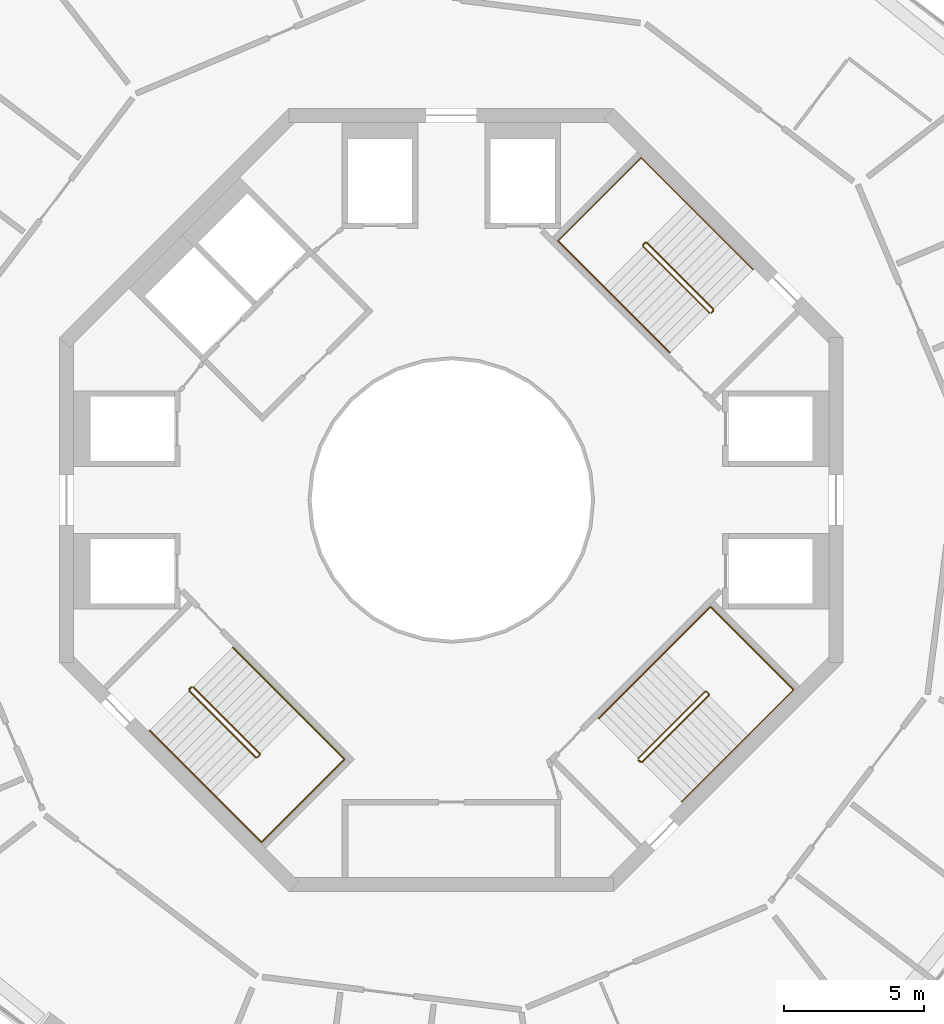
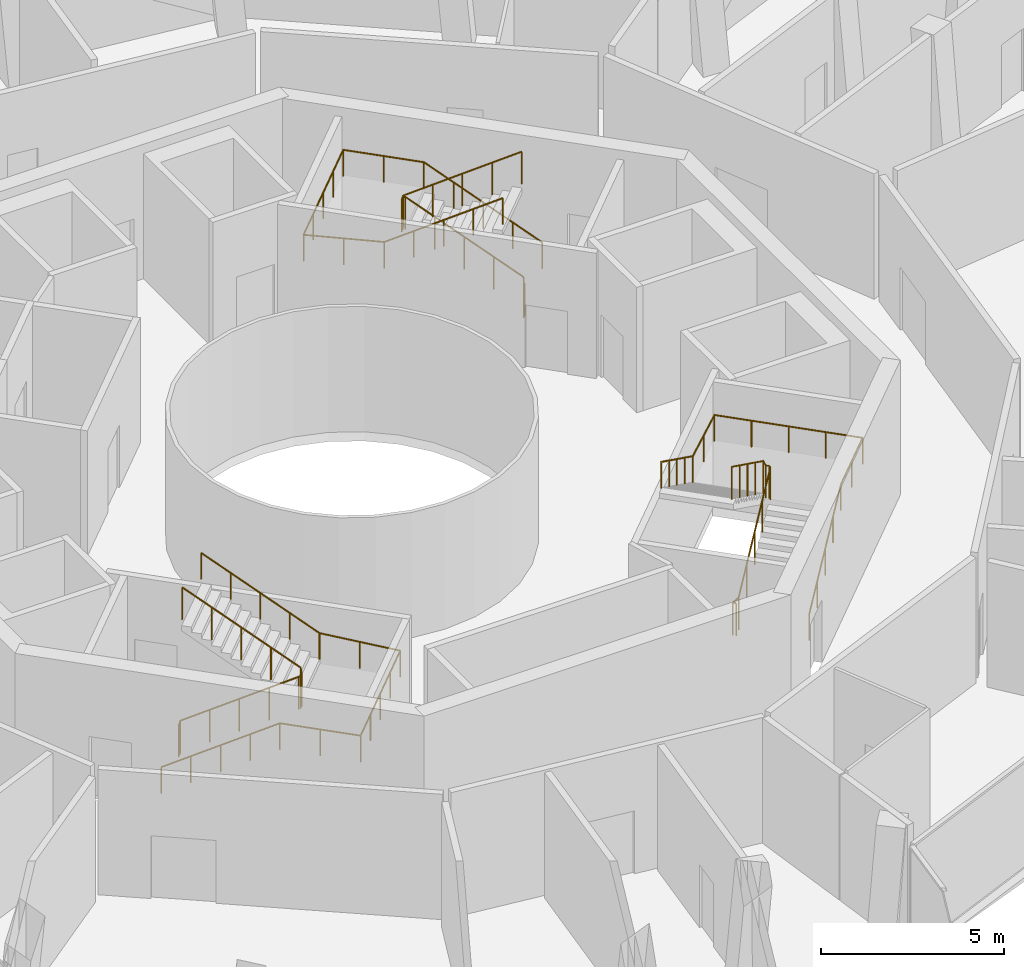
# One storey, part 18 of 18: 6 railings.
"""IFC4 building model written with IfcOpenShell, lengths in metres."""

from ifc_helpers import new_model, si_unit, direction, frame, origin, origin_2d, place, context, subcontext, project, spatial, circle, extrude, material, type_object, element, save


model = new_model("IFC4")

# Units and contexts
model_context = context("Model", 3, precision=1e-05, world=origin(), true_north=direction((0.0, 1.0)))
body_context = subcontext(model_context, "Body", "Model", "MODEL_VIEW")
ifc_project = project(units=[si_unit("LENGTHUNIT", "METRE"), si_unit("AREAUNIT", "SQUARE_METRE"), si_unit("VOLUMEUNIT", "CUBIC_METRE"), si_unit("PLANEANGLEUNIT", "RADIAN"), si_unit("MASSUNIT", "GRAM", prefix="KILO")], contexts=[model_context])

# Site, building, storey
site_placement = place(None, origin())
site = spatial("IfcSite", under=ifc_project, at=site_placement, CompositionType="ELEMENT")
building_placement = place(site_placement, origin())
building = spatial("IfcBuilding", under=site, at=building_placement, Name="Verdalira Terraces Hotel", CompositionType="ELEMENT")
storey_placement = place(building_placement, frame((0.0, 0.0, 248.0)))
storey = spatial("IfcBuildingStorey", under=building, at=storey_placement, Name="L61", CompositionType="ELEMENT", Elevation=248.0)

# Railings
ifc_material_1 = material(Name="Stainless steel", Category="steel")
railing_type_1 = type_object("IfcRailingType", Name="Stair guard 1100", PredefinedType="GUARDRAIL", material=ifc_material_1)
railing_1_placement = place(storey_placement, frame((9.369141, 6.75293, 0.0)))
element("IfcRailing", 1, at=railing_1_placement, inside=storey, type_object=railing_type_1, Name="L61 ST1 stair guard 1", PredefinedType="GUARDRAIL", context=body_context, shape_type="SweptSolid", body=[
    extrude(circle(Radius=0.023926, at=origin_2d()), frame((0.0, 0.0, 1.076172), z_axis=(-0.707106781, -0.707106781, 0.0), x_axis=(0.707106781, -0.707106781, 0.0)), (0.0, 0.0, 1.0), 0.100098),
    extrude(circle(Radius=0.023926, at=origin_2d()), frame((-0.070801, -0.070801, 1.076172), z_axis=(0.302014195, 0.602986962, 0.738372636), x_axis=(-0.894118129, 0.447831187, 0.0)), (0.0, 0.0, 1.0), 0.234375),
    extrude(circle(Radius=0.023926, at=origin_2d()), frame((0.0, 0.070557, 1.249023), z_axis=(-0.601482972, 0.601482972, 0.52577226), x_axis=(-0.707106781, -0.707106781, 0.0)), (0.0, 0.0, 1.0), 3.950195),
    extrude(circle(Radius=0.023926, at=origin_2d()), frame((-2.375977, 2.446533, 3.326172), z_axis=(-1.0, 0.0, 0.0), x_axis=(0.0, -1.0, 0.0)), (0.0, 0.0, 1.0), 0.070557),
    extrude(circle(Radius=0.023926, at=origin_2d()), frame((-2.446533, 2.446533, 3.326172), z_axis=(-0.707106781, -0.707106781, 0.0), x_axis=(0.707106781, -0.707106781, 0.0)), (0.0, 0.0, 1.0), 0.100098),
    extrude(circle(Radius=0.023926, at=origin_2d()), frame((-2.517334, 2.375732, 3.326172), z_axis=(0.0, -0.377462833, 0.926024735), x_axis=(1.0, 0.0, 0.0)), (0.0, 0.0, 1.0), 0.187012),
    extrude(circle(Radius=0.023926, at=origin_2d()), frame((-2.517334, 2.305176, 3.499023), z_axis=(0.601482972, -0.601482972, 0.52577226), x_axis=(0.707106781, 0.707106781, 0.0)), (0.0, 0.0, 1.0), 3.950195),
    extrude(circle(Radius=0.020996, at=origin_2d()), origin(), (0.0, 0.0, 1.0), 1.052002),
    extrude(circle(Radius=0.020996, at=origin_2d()), frame((-0.070801, -0.070801, 0.0)), (0.0, 0.0, 1.0), 1.052002),
    extrude(circle(Radius=0.020996, at=origin_2d()), frame((0.0, 0.070557, 0.173096)), (0.0, 0.0, 1.0), 1.052002),
    extrude(circle(Radius=0.020996, at=origin_2d()), frame((-0.593994, 0.664551, 0.692383)), (0.0, 0.0, 1.0), 1.052002),
    extrude(circle(Radius=0.020996, at=origin_2d()), frame((-1.187988, 1.258545, 1.211426)), (0.0, 0.0, 1.0), 1.052002),
    extrude(circle(Radius=0.020996, at=origin_2d()), frame((-1.781982, 1.852539, 1.730713)), (0.0, 0.0, 1.0), 1.052002),
    extrude(circle(Radius=0.020996, at=origin_2d()), frame((-2.375977, 2.446533, 2.25)), (0.0, 0.0, 1.0), 1.052002),
    extrude(circle(Radius=0.020996, at=origin_2d()), frame((-2.446533, 2.446533, 2.25)), (0.0, 0.0, 1.0), 1.052002),
    extrude(circle(Radius=0.020996, at=origin_2d()), frame((-2.517334, 2.375732, 2.25)), (0.0, 0.0, 1.0), 1.052002),
    extrude(circle(Radius=0.020996, at=origin_2d()), frame((-2.517334, 2.305176, 2.423096)), (0.0, 0.0, 1.0), 1.052002),
    extrude(circle(Radius=0.020996, at=origin_2d()), frame((-1.92334, 1.711182, 2.942383)), (0.0, 0.0, 1.0), 1.052002),
    extrude(circle(Radius=0.020996, at=origin_2d()), frame((-1.329346, 1.117188, 3.461426)), (0.0, 0.0, 1.0), 1.052002),
    extrude(circle(Radius=0.020996, at=origin_2d()), frame((-0.735352, 0.523193, 3.980713)), (0.0, 0.0, 1.0), 1.052002),
    extrude(circle(Radius=0.020996, at=origin_2d()), frame((-0.141357, -0.070801, 4.5)), (0.0, 0.0, 1.0), 1.052002),
])
railing_2_placement = place(storey_placement, frame((-9.369141, -6.75293, 0.0)))
element("IfcRailing", 2, at=railing_2_placement, inside=storey, type_object=railing_type_1, Name="L61 ST2 stair guard 1", PredefinedType="GUARDRAIL", context=body_context, shape_type="SweptSolid", body=[
    extrude(circle(Radius=0.023926, at=origin_2d()), frame((0.0, 0.0, 1.076172), z_axis=(0.707106781, 0.707106781, 0.0), x_axis=(-0.707106781, 0.707106781, 0.0)), (0.0, 0.0, 1.0), 0.100098),
    extrude(circle(Radius=0.023926, at=origin_2d()), frame((0.070801, 0.070801, 1.076172), z_axis=(-0.302014195, -0.602986962, 0.738372636), x_axis=(0.894118129, -0.447831187, 0.0)), (0.0, 0.0, 1.0), 0.234375),
    extrude(circle(Radius=0.023926, at=origin_2d()), frame((0.0, -0.070557, 1.249023), z_axis=(0.601482972, -0.601482972, 0.52577226), x_axis=(0.707106781, 0.707106781, 0.0)), (0.0, 0.0, 1.0), 3.950195),
    extrude(circle(Radius=0.023926, at=origin_2d()), frame((2.375977, -2.446533, 3.326172), z_axis=(1.0, 0.0, 0.0), x_axis=(0.0, 1.0, 0.0)), (0.0, 0.0, 1.0), 0.070557),
    extrude(circle(Radius=0.023926, at=origin_2d()), frame((2.446533, -2.446533, 3.326172), z_axis=(0.707106781, 0.707106781, 0.0), x_axis=(-0.707106781, 0.707106781, 0.0)), (0.0, 0.0, 1.0), 0.100098),
    extrude(circle(Radius=0.023926, at=origin_2d()), frame((2.517334, -2.375732, 3.326172), z_axis=(0.0, 0.377462833, 0.926024735), x_axis=(-1.0, 0.0, 0.0)), (0.0, 0.0, 1.0), 0.187012),
    extrude(circle(Radius=0.023926, at=origin_2d()), frame((2.517334, -2.305176, 3.499023), z_axis=(-0.601482972, 0.601482972, 0.52577226), x_axis=(-0.707106781, -0.707106781, 0.0)), (0.0, 0.0, 1.0), 3.950195),
    extrude(circle(Radius=0.020996, at=origin_2d()), origin(), (0.0, 0.0, 1.0), 1.052002),
    extrude(circle(Radius=0.020996, at=origin_2d()), frame((0.070801, 0.070801, 0.0)), (0.0, 0.0, 1.0), 1.052002),
    extrude(circle(Radius=0.020996, at=origin_2d()), frame((0.0, -0.070557, 0.173096)), (0.0, 0.0, 1.0), 1.052002),
    extrude(circle(Radius=0.020996, at=origin_2d()), frame((0.593994, -0.664551, 0.692383)), (0.0, 0.0, 1.0), 1.052002),
    extrude(circle(Radius=0.020996, at=origin_2d()), frame((1.187988, -1.258545, 1.211426)), (0.0, 0.0, 1.0), 1.052002),
    extrude(circle(Radius=0.020996, at=origin_2d()), frame((1.781982, -1.852539, 1.730713)), (0.0, 0.0, 1.0), 1.052002),
    extrude(circle(Radius=0.020996, at=origin_2d()), frame((2.375977, -2.446533, 2.25)), (0.0, 0.0, 1.0), 1.052002),
    extrude(circle(Radius=0.020996, at=origin_2d()), frame((2.446533, -2.446533, 2.25)), (0.0, 0.0, 1.0), 1.052002),
    extrude(circle(Radius=0.020996, at=origin_2d()), frame((2.517334, -2.375732, 2.25)), (0.0, 0.0, 1.0), 1.052002),
    extrude(circle(Radius=0.020996, at=origin_2d()), frame((2.517334, -2.305176, 2.423096)), (0.0, 0.0, 1.0), 1.052002),
    extrude(circle(Radius=0.020996, at=origin_2d()), frame((1.92334, -1.711182, 2.942383)), (0.0, 0.0, 1.0), 1.052002),
    extrude(circle(Radius=0.020996, at=origin_2d()), frame((1.329346, -1.117188, 3.461426)), (0.0, 0.0, 1.0), 1.052002),
    extrude(circle(Radius=0.020996, at=origin_2d()), frame((0.735352, -0.523193, 3.980713)), (0.0, 0.0, 1.0), 1.052002),
    extrude(circle(Radius=0.020996, at=origin_2d()), frame((0.141357, 0.070801, 4.5)), (0.0, 0.0, 1.0), 1.052002),
])
railing_3_placement = place(storey_placement, frame((6.75293, -9.369141, 0.0)))
element("IfcRailing", 3, at=railing_3_placement, inside=storey, type_object=railing_type_1, Name="L61 ST3 stair guard 1", PredefinedType="GUARDRAIL", context=body_context, shape_type="SweptSolid", body=[
    extrude(circle(Radius=0.023926, at=origin_2d()), frame((0.0, 0.0, 1.076172), z_axis=(-0.707106781, 0.707106781, 0.0), x_axis=(-0.707106781, -0.707106781, 0.0)), (0.0, 0.0, 1.0), 0.100098),
    extrude(circle(Radius=0.023926, at=origin_2d()), frame((-0.070801, 0.070801, 1.076172), z_axis=(0.602986962, -0.302014195, 0.738372636), x_axis=(0.447831187, 0.894118129, 0.0)), (0.0, 0.0, 1.0), 0.234375),
    extrude(circle(Radius=0.023926, at=origin_2d()), frame((0.070557, 0.0, 1.249023), z_axis=(0.601482972, 0.601482972, 0.52577226), x_axis=(-0.707106781, 0.707106781, 0.0)), (0.0, 0.0, 1.0), 3.950195),
    extrude(circle(Radius=0.023926, at=origin_2d()), frame((2.446533, 2.375977, 3.326172), z_axis=(0.0, 1.0, 0.0), x_axis=(-1.0, 0.0, 0.0)), (0.0, 0.0, 1.0), 0.070557),
    extrude(circle(Radius=0.023926, at=origin_2d()), frame((2.446533, 2.446533, 3.326172), z_axis=(-0.707106781, 0.707106781, 0.0), x_axis=(-0.707106781, -0.707106781, 0.0)), (0.0, 0.0, 1.0), 0.100098),
    extrude(circle(Radius=0.023926, at=origin_2d()), frame((2.375732, 2.517334, 3.326172), z_axis=(-0.377462833, 0.0, 0.926024735), x_axis=(0.0, -1.0, 0.0)), (0.0, 0.0, 1.0), 0.187012),
    extrude(circle(Radius=0.023926, at=origin_2d()), frame((2.305176, 2.517334, 3.499023), z_axis=(-0.601482972, -0.601482972, 0.52577226), x_axis=(0.707106781, -0.707106781, 0.0)), (0.0, 0.0, 1.0), 3.950195),
    extrude(circle(Radius=0.020996, at=origin_2d()), origin(), (0.0, 0.0, 1.0), 1.052002),
    extrude(circle(Radius=0.020996, at=origin_2d()), frame((-0.070801, 0.070801, 0.0)), (0.0, 0.0, 1.0), 1.052002),
    extrude(circle(Radius=0.020996, at=origin_2d()), frame((0.070557, 0.0, 0.173096)), (0.0, 0.0, 1.0), 1.052002),
    extrude(circle(Radius=0.020996, at=origin_2d()), frame((0.664551, 0.593994, 0.692383)), (0.0, 0.0, 1.0), 1.052002),
    extrude(circle(Radius=0.020996, at=origin_2d()), frame((1.258545, 1.187988, 1.211426)), (0.0, 0.0, 1.0), 1.052002),
    extrude(circle(Radius=0.020996, at=origin_2d()), frame((1.852539, 1.781982, 1.730713)), (0.0, 0.0, 1.0), 1.052002),
    extrude(circle(Radius=0.020996, at=origin_2d()), frame((2.446533, 2.375977, 2.25)), (0.0, 0.0, 1.0), 1.052002),
    extrude(circle(Radius=0.020996, at=origin_2d()), frame((2.446533, 2.446533, 2.25)), (0.0, 0.0, 1.0), 1.052002),
    extrude(circle(Radius=0.020996, at=origin_2d()), frame((2.375732, 2.517334, 2.25)), (0.0, 0.0, 1.0), 1.052002),
    extrude(circle(Radius=0.020996, at=origin_2d()), frame((2.305176, 2.517334, 2.423096)), (0.0, 0.0, 1.0), 1.052002),
    extrude(circle(Radius=0.020996, at=origin_2d()), frame((1.711182, 1.92334, 2.942383)), (0.0, 0.0, 1.0), 1.052002),
    extrude(circle(Radius=0.020996, at=origin_2d()), frame((1.117188, 1.329346, 3.461426)), (0.0, 0.0, 1.0), 1.052002),
    extrude(circle(Radius=0.020996, at=origin_2d()), frame((0.523193, 0.735352, 3.980713)), (0.0, 0.0, 1.0), 1.052002),
    extrude(circle(Radius=0.020996, at=origin_2d()), frame((-0.070801, 0.141357, 4.5)), (0.0, 0.0, 1.0), 1.052002),
])
ifc_material_2 = material(Name="Stainless steel", Category="steel")
railing_type_2 = type_object("IfcRailingType", Name="Stair handrail 900", PredefinedType="HANDRAIL", material=ifc_material_2)
railing_4_placement = place(storey_placement, frame((10.783447, 8.237793, 0.173096)))
element("IfcRailing", 4, at=railing_4_placement, inside=storey, type_object=railing_type_2, Name="L61 ST1 stair handrail 1", PredefinedType="HANDRAIL", context=body_context, shape_type="SweptSolid", body=[
    extrude(circle(Radius=0.023926, at=origin_2d()), frame((0.0, 0.0, 0.875977), z_axis=(-0.601482972, 0.601482972, 0.52577226), x_axis=(-0.707106781, -0.707106781, 0.0)), (0.0, 0.0, 1.0), 3.950195),
    extrude(circle(Radius=0.023926, at=origin_2d()), frame((-2.375977, 2.375977, 2.952637), z_axis=(-0.707106781, 0.707106781, 0.0), x_axis=(-0.707106781, -0.707106781, 0.0)), (0.0, 0.0, 1.0), 2.289795),
    extrude(circle(Radius=0.023926, at=origin_2d()), frame((-3.995117, 3.995117, 2.952637), z_axis=(-0.707135845, -0.707077716, 0.0), x_axis=(0.707077716, -0.707135845, 0.0)), (0.0, 0.0, 1.0), 4.199951),
    extrude(circle(Radius=0.023926, at=origin_2d()), frame((-6.965088, 1.025391, 2.952637), z_axis=(0.705095644, -0.705095644, 0.075367528), x_axis=(0.707106781, 0.707106781, 0.0)), (0.0, 0.0, 1.0), 2.296631),
    extrude(circle(Radius=0.023926, at=origin_2d()), frame((-5.345703, -0.593994, 3.125977), z_axis=(0.601465885, -0.601465885, 0.525811353), x_axis=(0.707106781, 0.707106781, 0.0)), (0.0, 0.0, 1.0), 3.949951),
    extrude(circle(Radius=0.020996, at=origin_2d()), origin(), (0.0, 0.0, 1.0), 0.851807),
    extrude(circle(Radius=0.020996, at=origin_2d()), frame((-0.593994, 0.593994, 0.519287)), (0.0, 0.0, 1.0), 0.851807),
    extrude(circle(Radius=0.020996, at=origin_2d()), frame((-1.187988, 1.187988, 1.038574)), (0.0, 0.0, 1.0), 0.851807),
    extrude(circle(Radius=0.020996, at=origin_2d()), frame((-1.781982, 1.781982, 1.557617)), (0.0, 0.0, 1.0), 0.851807),
    extrude(circle(Radius=0.020996, at=origin_2d()), frame((-2.375977, 2.375977, 2.076904)), (0.0, 0.0, 1.0), 0.851807),
    extrude(circle(Radius=0.020996, at=origin_2d()), frame((-3.185547, 3.185547, 2.076904)), (0.0, 0.0, 1.0), 0.851807),
    extrude(circle(Radius=0.020996, at=origin_2d()), frame((-3.995117, 3.995117, 2.076904)), (0.0, 0.0, 1.0), 0.851807),
    extrude(circle(Radius=0.020996, at=origin_2d()), frame((-4.737549, 3.252686, 2.076904)), (0.0, 0.0, 1.0), 0.851807),
    extrude(circle(Radius=0.020996, at=origin_2d()), frame((-5.47998, 2.510254, 2.076904)), (0.0, 0.0, 1.0), 0.851807),
    extrude(circle(Radius=0.020996, at=origin_2d()), frame((-6.222656, 1.767822, 2.076904)), (0.0, 0.0, 1.0), 0.851807),
    extrude(circle(Radius=0.020996, at=origin_2d()), frame((-6.965088, 1.025391, 2.076904)), (0.0, 0.0, 1.0), 0.851807),
    extrude(circle(Radius=0.020996, at=origin_2d()), frame((-6.155273, 0.21582, 2.163574)), (0.0, 0.0, 1.0), 0.851807),
    extrude(circle(Radius=0.020996, at=origin_2d()), frame((-5.345703, -0.593994, 2.25)), (0.0, 0.0, 1.0), 0.851807),
    extrude(circle(Radius=0.020996, at=origin_2d()), frame((-4.751709, -1.187988, 2.769287)), (0.0, 0.0, 1.0), 0.851807),
    extrude(circle(Radius=0.020996, at=origin_2d()), frame((-4.157715, -1.781738, 3.288574)), (0.0, 0.0, 1.0), 0.851807),
    extrude(circle(Radius=0.020996, at=origin_2d()), frame((-3.563965, -2.375732, 3.807617)), (0.0, 0.0, 1.0), 0.851807),
    extrude(circle(Radius=0.020996, at=origin_2d()), frame((-2.969971, -2.969727, 4.326904)), (0.0, 0.0, 1.0), 0.851807),
])
railing_5_placement = place(storey_placement, frame((-10.783447, -8.237793, 0.173096)))
element("IfcRailing", 5, at=railing_5_placement, inside=storey, type_object=railing_type_2, Name="L61 ST2 stair handrail 1", PredefinedType="HANDRAIL", context=body_context, shape_type="SweptSolid", body=[
    extrude(circle(Radius=0.023926, at=origin_2d()), frame((0.0, 0.0, 0.875977), z_axis=(0.601482972, -0.601482972, 0.52577226), x_axis=(0.707106781, 0.707106781, 0.0)), (0.0, 0.0, 1.0), 3.950195),
    extrude(circle(Radius=0.023926, at=origin_2d()), frame((2.375977, -2.375977, 2.952637), z_axis=(0.707106781, -0.707106781, 0.0), x_axis=(0.707106781, 0.707106781, 0.0)), (0.0, 0.0, 1.0), 2.289795),
    extrude(circle(Radius=0.023926, at=origin_2d()), frame((3.995117, -3.995117, 2.952637), z_axis=(0.707135845, 0.707077716, 0.0), x_axis=(-0.707077716, 0.707135845, 0.0)), (0.0, 0.0, 1.0), 4.199951),
    extrude(circle(Radius=0.023926, at=origin_2d()), frame((6.965088, -1.025391, 2.952637), z_axis=(-0.705095644, 0.705095644, 0.075367528), x_axis=(-0.707106781, -0.707106781, 0.0)), (0.0, 0.0, 1.0), 2.296631),
    extrude(circle(Radius=0.023926, at=origin_2d()), frame((5.345703, 0.593994, 3.125977), z_axis=(-0.601465885, 0.601465885, 0.525811353), x_axis=(-0.707106781, -0.707106781, 0.0)), (0.0, 0.0, 1.0), 3.949951),
    extrude(circle(Radius=0.020996, at=origin_2d()), origin(), (0.0, 0.0, 1.0), 0.851807),
    extrude(circle(Radius=0.020996, at=origin_2d()), frame((0.593994, -0.593994, 0.519287)), (0.0, 0.0, 1.0), 0.851807),
    extrude(circle(Radius=0.020996, at=origin_2d()), frame((1.187988, -1.187988, 1.038574)), (0.0, 0.0, 1.0), 0.851807),
    extrude(circle(Radius=0.020996, at=origin_2d()), frame((1.781982, -1.781982, 1.557617)), (0.0, 0.0, 1.0), 0.851807),
    extrude(circle(Radius=0.020996, at=origin_2d()), frame((2.375977, -2.375977, 2.076904)), (0.0, 0.0, 1.0), 0.851807),
    extrude(circle(Radius=0.020996, at=origin_2d()), frame((3.185547, -3.185547, 2.076904)), (0.0, 0.0, 1.0), 0.851807),
    extrude(circle(Radius=0.020996, at=origin_2d()), frame((3.995117, -3.995117, 2.076904)), (0.0, 0.0, 1.0), 0.851807),
    extrude(circle(Radius=0.020996, at=origin_2d()), frame((4.737549, -3.252686, 2.076904)), (0.0, 0.0, 1.0), 0.851807),
    extrude(circle(Radius=0.020996, at=origin_2d()), frame((5.47998, -2.510254, 2.076904)), (0.0, 0.0, 1.0), 0.851807),
    extrude(circle(Radius=0.020996, at=origin_2d()), frame((6.222656, -1.767822, 2.076904)), (0.0, 0.0, 1.0), 0.851807),
    extrude(circle(Radius=0.020996, at=origin_2d()), frame((6.965088, -1.025391, 2.076904)), (0.0, 0.0, 1.0), 0.851807),
    extrude(circle(Radius=0.020996, at=origin_2d()), frame((6.155273, -0.21582, 2.163574)), (0.0, 0.0, 1.0), 0.851807),
    extrude(circle(Radius=0.020996, at=origin_2d()), frame((5.345703, 0.593994, 2.25)), (0.0, 0.0, 1.0), 0.851807),
    extrude(circle(Radius=0.020996, at=origin_2d()), frame((4.751709, 1.187988, 2.769287)), (0.0, 0.0, 1.0), 0.851807),
    extrude(circle(Radius=0.020996, at=origin_2d()), frame((4.157715, 1.781738, 3.288574)), (0.0, 0.0, 1.0), 0.851807),
    extrude(circle(Radius=0.020996, at=origin_2d()), frame((3.563965, 2.375732, 3.807617)), (0.0, 0.0, 1.0), 0.851807),
    extrude(circle(Radius=0.020996, at=origin_2d()), frame((2.969971, 2.969727, 4.326904)), (0.0, 0.0, 1.0), 0.851807),
])
railing_6_placement = place(storey_placement, frame((8.237793, -10.783447, 0.173096)))
element("IfcRailing", 6, at=railing_6_placement, inside=storey, type_object=railing_type_2, Name="L61 ST3 stair handrail 1", PredefinedType="HANDRAIL", context=body_context, shape_type="SweptSolid", body=[
    extrude(circle(Radius=0.023926, at=origin_2d()), frame((0.0, 0.0, 0.875977), z_axis=(0.601482972, 0.601482972, 0.52577226), x_axis=(-0.707106781, 0.707106781, 0.0)), (0.0, 0.0, 1.0), 3.950195),
    extrude(circle(Radius=0.023926, at=origin_2d()), frame((2.375977, 2.375977, 2.952637), z_axis=(0.707106781, 0.707106781, 0.0), x_axis=(-0.707106781, 0.707106781, 0.0)), (0.0, 0.0, 1.0), 2.289795),
    extrude(circle(Radius=0.023926, at=origin_2d()), frame((3.995117, 3.995117, 2.952637), z_axis=(-0.707077716, 0.707135845, 0.0), x_axis=(-0.707135845, -0.707077716, 0.0)), (0.0, 0.0, 1.0), 4.199951),
    extrude(circle(Radius=0.023926, at=origin_2d()), frame((1.025391, 6.965088, 2.952637), z_axis=(-0.705095644, -0.705095644, 0.075367528), x_axis=(0.707106781, -0.707106781, 0.0)), (0.0, 0.0, 1.0), 2.296631),
    extrude(circle(Radius=0.023926, at=origin_2d()), frame((-0.593994, 5.345703, 3.125977), z_axis=(-0.601465885, -0.601465885, 0.525811353), x_axis=(0.707106781, -0.707106781, 0.0)), (0.0, 0.0, 1.0), 3.949951),
    extrude(circle(Radius=0.020996, at=origin_2d()), origin(), (0.0, 0.0, 1.0), 0.851807),
    extrude(circle(Radius=0.020996, at=origin_2d()), frame((0.593994, 0.593994, 0.519287)), (0.0, 0.0, 1.0), 0.851807),
    extrude(circle(Radius=0.020996, at=origin_2d()), frame((1.187988, 1.187988, 1.038574)), (0.0, 0.0, 1.0), 0.851807),
    extrude(circle(Radius=0.020996, at=origin_2d()), frame((1.781982, 1.781982, 1.557617)), (0.0, 0.0, 1.0), 0.851807),
    extrude(circle(Radius=0.020996, at=origin_2d()), frame((2.375977, 2.375977, 2.076904)), (0.0, 0.0, 1.0), 0.851807),
    extrude(circle(Radius=0.020996, at=origin_2d()), frame((3.185547, 3.185547, 2.076904)), (0.0, 0.0, 1.0), 0.851807),
    extrude(circle(Radius=0.020996, at=origin_2d()), frame((3.995117, 3.995117, 2.076904)), (0.0, 0.0, 1.0), 0.851807),
    extrude(circle(Radius=0.020996, at=origin_2d()), frame((3.252686, 4.737549, 2.076904)), (0.0, 0.0, 1.0), 0.851807),
    extrude(circle(Radius=0.020996, at=origin_2d()), frame((2.510254, 5.47998, 2.076904)), (0.0, 0.0, 1.0), 0.851807),
    extrude(circle(Radius=0.020996, at=origin_2d()), frame((1.767822, 6.222656, 2.076904)), (0.0, 0.0, 1.0), 0.851807),
    extrude(circle(Radius=0.020996, at=origin_2d()), frame((1.025391, 6.965088, 2.076904)), (0.0, 0.0, 1.0), 0.851807),
    extrude(circle(Radius=0.020996, at=origin_2d()), frame((0.21582, 6.155273, 2.163574)), (0.0, 0.0, 1.0), 0.851807),
    extrude(circle(Radius=0.020996, at=origin_2d()), frame((-0.593994, 5.345703, 2.25)), (0.0, 0.0, 1.0), 0.851807),
    extrude(circle(Radius=0.020996, at=origin_2d()), frame((-1.187988, 4.751709, 2.769287)), (0.0, 0.0, 1.0), 0.851807),
    extrude(circle(Radius=0.020996, at=origin_2d()), frame((-1.781738, 4.157715, 3.288574)), (0.0, 0.0, 1.0), 0.851807),
    extrude(circle(Radius=0.020996, at=origin_2d()), frame((-2.375732, 3.563965, 3.807617)), (0.0, 0.0, 1.0), 0.851807),
    extrude(circle(Radius=0.020996, at=origin_2d()), frame((-2.969727, 2.969971, 4.326904)), (0.0, 0.0, 1.0), 0.851807),
])

save(model, "model.ifc")
